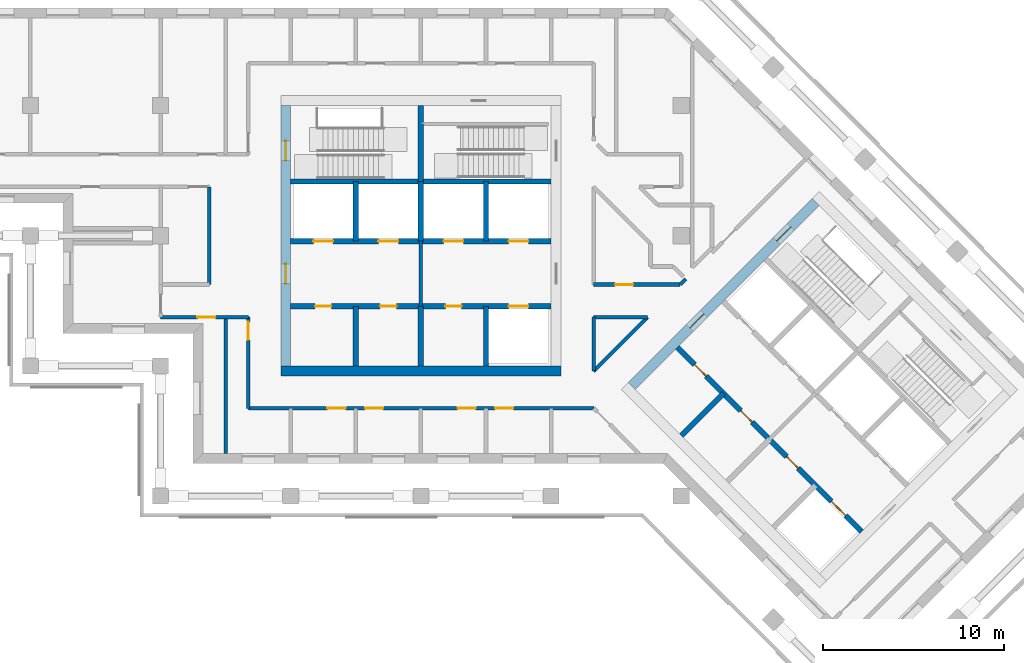
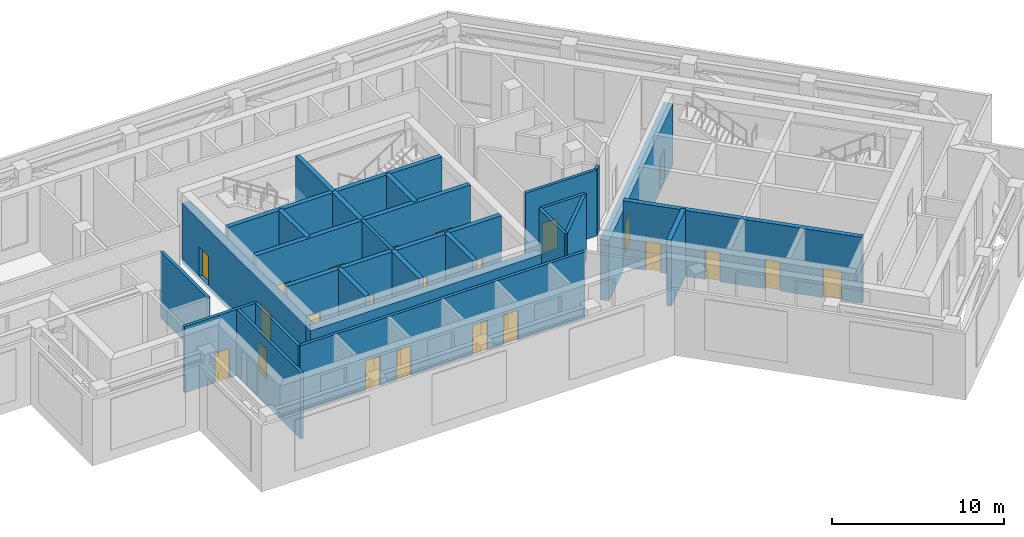
# One storey, part 4 of 10: 27 walls, 23 doors, 23 openings.
"""IFC4 building model written with IfcOpenShell, lengths in metres."""

from ifc_helpers import new_model, si_unit, direction, frame, frame_2d, origin, place, context, subcontext, project, spatial, rectangle, extrude, material, layer, layer_set, type_object, element, fill, save


model = new_model("IFC4")

# Units and contexts
model_context = context("Model", 3, precision=1e-05, world=origin(), true_north=direction((0.0, 1.0)))
body_context = subcontext(model_context, "Body", "Model", "MODEL_VIEW")
ifc_project = project(units=[si_unit("LENGTHUNIT", "METRE"), si_unit("AREAUNIT", "SQUARE_METRE"), si_unit("VOLUMEUNIT", "CUBIC_METRE"), si_unit("PLANEANGLEUNIT", "RADIAN"), si_unit("MASSUNIT", "GRAM", prefix="KILO")], contexts=[model_context])

# Site, building, storey
site_placement = place(None, origin())
site = spatial("IfcSite", under=ifc_project, at=site_placement, CompositionType="ELEMENT")
building_placement = place(site_placement, origin())
building = spatial("IfcBuilding", under=site, at=building_placement, Name="Windrow Commons", CompositionType="ELEMENT")
storey_placement = place(building_placement, frame((0.0, 0.0, 180.4)))
storey = spatial("IfcBuildingStorey", under=building, at=storey_placement, Name="L49", CompositionType="ELEMENT", Elevation=180.4)

# Wall
ifc_material_1 = material(Name="Blockwork partition", Category="masonry")
ifc_layer_1 = layer(ifc_material_1, 0.2)
ifc_layer_set_1 = layer_set([ifc_layer_1], Name="Fire lobby partition 200")
wall_type_1 = type_object("IfcWallType", Name="Fire lobby partition 200", PredefinedType="PARTITIONING", material=ifc_layer_set_1)
wall_1_placement = place(storey_placement, frame((64.8, 53.7, 0.0), z_axis=(0.0, 0.0, 1.0), x_axis=(0.0, 1.0, 0.0)))
element("IfcWall", 1, at=wall_1_placement, inside=storey, type_object=wall_type_1, Name="W-core-lobby-A-L49", PredefinedType="PARTITIONING", context=body_context, shape_type="SweptSolid", body=[
    extrude(rectangle(XDim=3.6, YDim=0.2, at=frame_2d((1.8, 0.0))), origin(), (0.0, 0.0, 1.0), 4.7),
])

# Wall, openings, doors
ifc_material_2 = material(Name="Blockwork partition", Category="masonry")
ifc_layer_2 = layer(ifc_material_2, 0.2)
ifc_layer_set_2 = layer_set([ifc_layer_2], Name="IW-CORRIDOR-200")
wall_type_2 = type_object("IfcWallType", Name="IW-CORRIDOR-200", PredefinedType="PARTITIONING", material=ifc_layer_set_2)
wall_2_placement = place(storey_placement, frame((55.25, 48.05, 0.0), z_axis=(0.0, 0.0, 1.0), x_axis=(1.0, 0.0, 0.0)))
wall_2 = element("IfcWall", 2, at=wall_2_placement, inside=storey, type_object=wall_type_2, Name="W-L49-W000", PredefinedType="PARTITIONING", context=body_context, shape_type="SweptSolid", body=[
    extrude(rectangle(XDim=19.12, YDim=0.2, at=frame_2d((9.56, 0.0))), origin(), (0.0, 0.0, 1.0), 4.7),
])
opening_1_placement = place(wall_2_placement, frame((4.3825, 0.0, 0.0)))
opening_1 = element("IfcOpeningElement", 3, at=opening_1_placement, cuts=wall_2, Name="Opening D410F", PredefinedType="OPENING", context=body_context, shape_type="SweptSolid", body=[
    extrude(rectangle(XDim=1.0, YDim=2.1, at=frame_2d((0.5, 1.05))), frame((0.0, 0.11, 0.0), z_axis=(0.0, -1.0, 0.0), x_axis=(1.0, 0.0, 0.0)), (0.0, 0.0, 1.0), 0.22),
])
opening_2_placement = place(wall_2_placement, frame((6.4575, 0.0, 0.0)))
opening_2 = element("IfcOpeningElement", 4, at=opening_2_placement, cuts=wall_2, Name="Opening D410F", PredefinedType="OPENING", context=body_context, shape_type="SweptSolid", body=[
    extrude(rectangle(XDim=1.0, YDim=2.1, at=frame_2d((0.5, 1.05))), frame((0.0, 0.11, 0.0), z_axis=(0.0, -1.0, 0.0), x_axis=(1.0, 0.0, 0.0)), (0.0, 0.0, 1.0), 0.22),
])
opening_3_placement = place(wall_2_placement, frame((11.5825, 0.0, 0.0)))
opening_3 = element("IfcOpeningElement", 5, at=opening_3_placement, cuts=wall_2, Name="Opening D410F", PredefinedType="OPENING", context=body_context, shape_type="SweptSolid", body=[
    extrude(rectangle(XDim=1.0, YDim=2.1, at=frame_2d((0.5, 1.05))), frame((0.0, 0.11, 0.0), z_axis=(0.0, -1.0, 0.0), x_axis=(1.0, 0.0, 0.0)), (0.0, 0.0, 1.0), 0.22),
])
opening_4_placement = place(wall_2_placement, frame((13.6575, 0.0, 0.0)))
opening_4 = element("IfcOpeningElement", 6, at=opening_4_placement, cuts=wall_2, Name="Opening D410F", PredefinedType="OPENING", context=body_context, shape_type="SweptSolid", body=[
    extrude(rectangle(XDim=1.0, YDim=2.1, at=frame_2d((0.5, 1.05))), frame((0.0, 0.11, 0.0), z_axis=(0.0, -1.0, 0.0), x_axis=(1.0, 0.0, 0.0)), (0.0, 0.0, 1.0), 0.22),
])
ifc_material_3 = material(Name="Timber door leaf", Category="wood")
door_type_1 = type_object("IfcDoorType", Name="DT-SERVICE-1000", OperationType="SINGLE_SWING_LEFT", PredefinedType="DOOR", material=ifc_material_3)
door_1_placement = place(opening_1_placement, origin())
door_1 = element("IfcDoor", 7, at=door_1_placement, inside=storey, type_object=door_type_1, Name="D-L49-D006", OperationType="SINGLE_SWING_LEFT", OverallHeight=2.1, OverallWidth=1.0, PredefinedType="DOOR", context=body_context, shape_type="SweptSolid", body=[
    extrude(rectangle(XDim=1.0, YDim=2.1, at=frame_2d((0.5, 1.05))), frame((0.0, 0.025, 0.0), z_axis=(0.0, -1.0, 0.0), x_axis=(1.0, 0.0, 0.0)), (0.0, 0.0, 1.0), 0.05),
])
fill(opening_1, door_1)
door_2_placement = place(opening_2_placement, origin())
door_2 = element("IfcDoor", 8, at=door_2_placement, inside=storey, type_object=door_type_1, Name="D-L49-D007", OperationType="SINGLE_SWING_RIGHT", OverallHeight=2.1, OverallWidth=1.0, PredefinedType="DOOR", context=body_context, shape_type="SweptSolid", body=[
    extrude(rectangle(XDim=1.0, YDim=2.1, at=frame_2d((0.5, 1.05))), frame((0.0, 0.025, 0.0), z_axis=(0.0, -1.0, 0.0), x_axis=(1.0, 0.0, 0.0)), (0.0, 0.0, 1.0), 0.05),
])
fill(opening_2, door_2)
door_3_placement = place(opening_3_placement, origin())
door_3 = element("IfcDoor", 9, at=door_3_placement, inside=storey, type_object=door_type_1, Name="D-L49-D008", OperationType="SINGLE_SWING_LEFT", OverallHeight=2.1, OverallWidth=1.0, PredefinedType="DOOR", context=body_context, shape_type="SweptSolid", body=[
    extrude(rectangle(XDim=1.0, YDim=2.1, at=frame_2d((0.5, 1.05))), frame((0.0, 0.025, 0.0), z_axis=(0.0, -1.0, 0.0), x_axis=(1.0, 0.0, 0.0)), (0.0, 0.0, 1.0), 0.05),
])
fill(opening_3, door_3)
door_4_placement = place(opening_4_placement, origin())
door_4 = element("IfcDoor", 10, at=door_4_placement, inside=storey, type_object=door_type_1, Name="D-L49-D009", OperationType="SINGLE_SWING_RIGHT", OverallHeight=2.1, OverallWidth=1.0, PredefinedType="DOOR", context=body_context, shape_type="SweptSolid", body=[
    extrude(rectangle(XDim=1.0, YDim=2.1, at=frame_2d((0.5, 1.05))), frame((0.0, 0.025, 0.0), z_axis=(0.0, -1.0, 0.0), x_axis=(1.0, 0.0, 0.0)), (0.0, 0.0, 1.0), 0.05),
])
fill(opening_4, door_4)

# Wall
wall_3_placement = place(storey_placement, frame((53.1, 54.9, 0.0), z_axis=(0.0, 0.0, 1.0), x_axis=(0.0, 1.0, 0.0)))
element("IfcWall", 11, at=wall_3_placement, inside=storey, type_object=wall_type_2, Name="W-L49-W013", PredefinedType="PARTITIONING", context=body_context, shape_type="SweptSolid", body=[
    extrude(rectangle(XDim=5.4, YDim=0.2, at=frame_2d((2.7, 0.0))), origin(), (0.0, 0.0, 1.0), 4.7),
])

# Wall, opening, door
wall_4_placement = place(storey_placement, frame((55.25, 48.05, 0.0), z_axis=(0.0, 0.0, 1.0), x_axis=(0.0, 1.0, 0.0)))
wall_4 = element("IfcWall", 12, at=wall_4_placement, inside=storey, type_object=wall_type_2, Name="W-L49-W014", PredefinedType="PARTITIONING", context=body_context, shape_type="SweptSolid", body=[
    extrude(rectangle(XDim=5.05, YDim=0.2, at=frame_2d((2.525, 0.0))), origin(), (0.0, 0.0, 1.0), 4.7),
])
opening_5_placement = place(wall_4_placement, frame((3.7888, 0.0, 0.0)))
opening_5 = element("IfcOpeningElement", 13, at=opening_5_placement, cuts=wall_4, Name="Opening D410F", PredefinedType="OPENING", context=body_context, shape_type="SweptSolid", body=[
    extrude(rectangle(XDim=1.0, YDim=2.1, at=frame_2d((0.5, 1.05))), frame((0.0, 0.11, 0.0), z_axis=(0.0, -1.0, 0.0), x_axis=(1.0, 0.0, 0.0)), (0.0, 0.0, 1.0), 0.22),
])
door_5_placement = place(opening_5_placement, origin())
door_5 = element("IfcDoor", 14, at=door_5_placement, inside=storey, type_object=door_type_1, Name="D-L49-D005", OperationType="SINGLE_SWING_RIGHT", OverallHeight=2.1, OverallWidth=1.0, PredefinedType="DOOR", context=body_context, shape_type="SweptSolid", body=[
    extrude(rectangle(XDim=1.0, YDim=2.1, at=frame_2d((0.5, 1.05))), frame((0.0, 0.025, 0.0), z_axis=(0.0, -1.0, 0.0), x_axis=(1.0, 0.0, 0.0)), (0.0, 0.0, 1.0), 0.05),
])
fill(opening_5, door_5)

wall_5_placement = place(storey_placement, frame((50.4, 53.1, 0.0), z_axis=(0.0, 0.0, 1.0), x_axis=(1.0, 0.0, 0.0)))
wall_5 = element("IfcWall", 15, at=wall_5_placement, inside=storey, type_object=wall_type_2, Name="W-L49-W016", PredefinedType="PARTITIONING", context=body_context, shape_type="SweptSolid", body=[
    extrude(rectangle(XDim=4.85, YDim=0.2, at=frame_2d((2.425, 0.0))), origin(), (0.0, 0.0, 1.0), 4.7),
])
opening_6_placement = place(wall_5_placement, frame((2.0325, 0.0, 0.0)))
opening_6 = element("IfcOpeningElement", 16, at=opening_6_placement, cuts=wall_5, Name="Opening D410F", PredefinedType="OPENING", context=body_context, shape_type="SweptSolid", body=[
    extrude(rectangle(XDim=1.0, YDim=2.1, at=frame_2d((0.5, 1.05))), frame((0.0, 0.11, 0.0), z_axis=(0.0, -1.0, 0.0), x_axis=(1.0, 0.0, 0.0)), (0.0, 0.0, 1.0), 0.22),
])
door_6_placement = place(opening_6_placement, origin())
door_6 = element("IfcDoor", 17, at=door_6_placement, inside=storey, type_object=door_type_1, Name="D-L49-D004", OperationType="SINGLE_SWING_LEFT", OverallHeight=2.1, OverallWidth=1.0, PredefinedType="DOOR", context=body_context, shape_type="SweptSolid", body=[
    extrude(rectangle(XDim=1.0, YDim=2.1, at=frame_2d((0.5, 1.05))), frame((0.0, 0.025, 0.0), z_axis=(0.0, -1.0, 0.0), x_axis=(1.0, 0.0, 0.0)), (0.0, 0.0, 1.0), 0.05),
])
fill(opening_6, door_6)

wall_6_placement = place(storey_placement, frame((74.352, 54.9, 0.0), z_axis=(0.0, 0.0, 1.0), x_axis=(1.0, 0.0, 0.0)))
wall_6 = element("IfcWall", 18, at=wall_6_placement, inside=storey, type_object=wall_type_2, Name="W-L49-W017", PredefinedType="PARTITIONING", context=body_context, shape_type="SweptSolid", body=[
    extrude(rectangle(XDim=4.788, YDim=0.2, at=frame_2d((2.394, 0.0))), origin(), (0.0, 0.0, 1.0), 4.7),
])
opening_7_placement = place(wall_6_placement, frame((1.1905, 0.0, 0.0)))
opening_7 = element("IfcOpeningElement", 19, at=opening_7_placement, cuts=wall_6, Name="Opening D410F", PredefinedType="OPENING", context=body_context, shape_type="SweptSolid", body=[
    extrude(rectangle(XDim=1.0, YDim=2.1, at=frame_2d((0.5, 1.05))), frame((0.0, 0.11, 0.0), z_axis=(0.0, -1.0, 0.0), x_axis=(1.0, 0.0, 0.0)), (0.0, 0.0, 1.0), 0.22),
])
door_7_placement = place(opening_7_placement, origin())
door_7 = element("IfcDoor", 20, at=door_7_placement, inside=storey, type_object=door_type_1, Name="D-L49-D003", OperationType="SINGLE_SWING_LEFT", OverallHeight=2.1, OverallWidth=1.0, PredefinedType="DOOR", context=body_context, shape_type="SweptSolid", body=[
    extrude(rectangle(XDim=1.0, YDim=2.1, at=frame_2d((0.5, 1.05))), frame((0.0, 0.025, 0.0), z_axis=(0.0, -1.0, 0.0), x_axis=(1.0, 0.0, 0.0)), (0.0, 0.0, 1.0), 0.05),
])
fill(opening_7, door_7)

# Walls
wall_7_placement = place(storey_placement, frame((74.3508, 50.1112, 0.0), z_axis=(0.0, 0.0, 1.0), x_axis=(0.7071067812, 0.7071067812, 0.0)))
element("IfcWall", 21, at=wall_7_placement, inside=storey, type_object=wall_type_2, Name="W-L49-W025", PredefinedType="PARTITIONING", context=body_context, shape_type="SweptSolid", body=[
    extrude(rectangle(XDim=4.2257, YDim=0.2, at=frame_2d((2.1128, 0.0))), origin(), (0.0, 0.0, 1.0), 4.7),
])
wall_8_placement = place(storey_placement, frame((74.35, 50.112, 0.0), z_axis=(0.0, 0.0, 1.0), x_axis=(0.0, 1.0, 0.0)))
element("IfcWall", 22, at=wall_8_placement, inside=storey, type_object=wall_type_2, Name="W-L49-W029", PredefinedType="PARTITIONING", context=body_context, shape_type="SweptSolid", body=[
    extrude(rectangle(XDim=2.988, YDim=0.2, at=frame_2d((1.494, 0.0))), origin(), (0.0, 0.0, 1.0), 4.7),
])
wall_9_placement = place(storey_placement, frame((74.352, 53.1, 0.0), z_axis=(0.0, 0.0, 1.0), x_axis=(1.0, 0.0, 0.0)))
element("IfcWall", 23, at=wall_9_placement, inside=storey, type_object=wall_type_2, Name="W-L49-W030", PredefinedType="PARTITIONING", context=body_context, shape_type="SweptSolid", body=[
    extrude(rectangle(XDim=2.986, YDim=0.2, at=frame_2d((1.493, 0.0))), origin(), (0.0, 0.0, 1.0), 4.7),
])
wall_10_placement = place(storey_placement, frame((79.1408, 54.9012, 0.0), z_axis=(0.0, 0.0, 1.0), x_axis=(0.7071067812, 0.7071067812, 0.0)))
element("IfcWall", 24, at=wall_10_placement, inside=storey, type_object=wall_type_2, Name="W-L49-W063", PredefinedType="PARTITIONING", context=body_context, shape_type="SweptSolid", body=[
    extrude(rectangle(XDim=0.4327, YDim=0.2, at=frame_2d((0.2163, 0.0))), origin(), (0.0, 0.0, 1.0), 4.7),
])
ifc_material_4 = material(Name="Blockwork partition", Category="masonry")
ifc_layer_3 = layer(ifc_material_4, 0.2)
ifc_layer_set_3 = layer_set([ifc_layer_3], Name="IW-PARTY-200")
wall_type_3 = type_object("IfcWallType", Name="IW-PARTY-200", PredefinedType="PARTITIONING", material=ifc_layer_set_3)
wall_11_placement = place(storey_placement, frame((54.0, 45.55, 0.0), z_axis=(0.0, 0.0, 1.0), x_axis=(0.0, 1.0, 0.0)))
element("IfcWall", 25, at=wall_11_placement, inside=storey, type_object=wall_type_3, Name="W-L49-W006", PredefinedType="PARTITIONING", context=body_context, shape_type="SweptSolid", body=[
    extrude(rectangle(XDim=7.55, YDim=0.2, at=frame_2d((3.775, 0.0))), origin(), (0.0, 0.0, 1.0), 4.7),
])
ifc_material_5 = material(Name="Concrete C50/60", Category="concrete")
ifc_layer_4 = layer(ifc_material_5, 0.55)
ifc_layer_set_4 = layer_set([ifc_layer_4], Name="RC CORE WALL 550 C50/60")
wall_type_4 = type_object("IfcWallType", Name="RC CORE WALL 550 C50/60", PredefinedType="SHEAR", material=ifc_layer_set_4)
wall_12_placement = place(storey_placement, frame((57.05, 50.125, -0.3), z_axis=(0.0, 0.0, 1.0), x_axis=(1.0, 0.0, 0.0)))
element("IfcWall", 26, at=wall_12_placement, inside=storey, type_object=wall_type_4, Name="Core A wall outer-S", PredefinedType="SHEAR", context=body_context, shape_type="SweptSolid", body=[
    extrude(rectangle(XDim=15.5, YDim=0.55, at=frame_2d((7.75, 0.0))), origin(), (0.0, 0.0, 1.0), 4.3),
])

# Wall, openings, doors
wall_13_placement = place(storey_placement, frame((57.325, 50.4, -0.3), z_axis=(0.0, 0.0, 1.0), x_axis=(0.0, 1.0, 0.0)))
wall_13 = element("IfcWall", 27, at=wall_13_placement, inside=storey, type_object=wall_type_4, Name="Core A wall outer-W", PredefinedType="SHEAR", context=body_context, shape_type="SweptSolid", body=[
    extrude(rectangle(XDim=14.4, YDim=0.55, at=frame_2d((7.2, 0.0))), origin(), (0.0, 0.0, 1.0), 4.3),
])
opening_8_placement = place(wall_13_placement, frame((4.55, 0.0, 0.3)))
opening_8 = element("IfcOpeningElement", 28, at=opening_8_placement, cuts=wall_13, Name="Opening D6", PredefinedType="OPENING", context=body_context, shape_type="SweptSolid", body=[
    extrude(rectangle(XDim=1.1, YDim=2.1, at=frame_2d((0.55, 1.05))), frame((0.0, 0.285, 0.0), z_axis=(0.0, -1.0, 0.0), x_axis=(1.0, 0.0, 0.0)), (0.0, 0.0, 1.0), 0.57),
])
opening_9_placement = place(wall_13_placement, frame((11.35, 0.0, 0.3)))
opening_9 = element("IfcOpeningElement", 29, at=opening_9_placement, cuts=wall_13, Name="Opening D7", PredefinedType="OPENING", context=body_context, shape_type="SweptSolid", body=[
    extrude(rectangle(XDim=1.1, YDim=2.1, at=frame_2d((0.55, 1.05))), frame((0.0, 0.285, 0.0), z_axis=(0.0, -1.0, 0.0), x_axis=(1.0, 0.0, 0.0)), (0.0, 0.0, 1.0), 0.57),
])
ifc_material_6 = material(Name="Steel fire door leaf", Category="steel")
door_type_2 = type_object("IfcDoorType", Name="Core lobby door 1100", OperationType="SINGLE_SWING_LEFT", PredefinedType="DOOR", material=ifc_material_6)
door_8_placement = place(opening_8_placement, origin())
door_8 = element("IfcDoor", 30, at=door_8_placement, inside=storey, type_object=door_type_2, Name="Lift lobby door", OperationType="DOUBLE_DOOR_SINGLE_SWING", OverallHeight=2.1, OverallWidth=1.1, PredefinedType="DOOR", context=body_context, shape_type="SweptSolid", body=[
    extrude(rectangle(XDim=1.1, YDim=2.1, at=frame_2d((0.55, 1.05))), frame((0.0, 0.025, 0.0), z_axis=(0.0, -1.0, 0.0), x_axis=(1.0, 0.0, 0.0)), (0.0, 0.0, 1.0), 0.05),
])
fill(opening_8, door_8)
ifc_material_7 = material(Name="Steel fire door leaf", Category="steel")
door_type_3 = type_object("IfcDoorType", Name="Stair door 1100", OperationType="SINGLE_SWING_LEFT", PredefinedType="DOOR", material=ifc_material_7)
door_9_placement = place(opening_9_placement, origin())
door_9 = element("IfcDoor", 31, at=door_9_placement, inside=storey, type_object=door_type_3, Name="Stair door", OperationType="SINGLE_SWING_LEFT", OverallHeight=2.1, OverallWidth=1.1, PredefinedType="DOOR", context=body_context, shape_type="SweptSolid", body=[
    extrude(rectangle(XDim=1.1, YDim=2.1, at=frame_2d((0.55, 1.05))), frame((0.0, 0.025, 0.0), z_axis=(0.0, -1.0, 0.0), x_axis=(1.0, 0.0, 0.0)), (0.0, 0.0, 1.0), 0.05),
])
fill(opening_9, door_9)

wall_14_placement = place(storey_placement, frame((76.46, 49.2842, -0.3), z_axis=(0.0, 0.0, 1.0), x_axis=(0.7071067812, 0.7071067812, 0.0)))
wall_14 = element("IfcWall", 32, at=wall_14_placement, inside=storey, type_object=wall_type_4, Name="Core B wall outer-W", PredefinedType="SHEAR", context=body_context, shape_type="SweptSolid", body=[
    extrude(rectangle(XDim=14.3999, YDim=0.55, at=frame_2d((7.2, 0.0))), origin(), (0.0, 0.0, 1.0), 4.3),
])
opening_10_placement = place(wall_14_placement, frame((4.55, 0.0, 0.3)))
opening_10 = element("IfcOpeningElement", 33, at=opening_10_placement, cuts=wall_14, Name="Opening D6", PredefinedType="OPENING", context=body_context, shape_type="SweptSolid", body=[
    extrude(rectangle(XDim=1.1, YDim=2.1, at=frame_2d((0.55, 1.05))), frame((0.0, 0.285, 0.0), z_axis=(0.0, -1.0, 0.0), x_axis=(1.0, 0.0, 0.0)), (0.0, 0.0, 1.0), 0.57),
])
opening_11_placement = place(wall_14_placement, frame((11.35, 0.0, 0.3)))
opening_11 = element("IfcOpeningElement", 34, at=opening_11_placement, cuts=wall_14, Name="Opening D7", PredefinedType="OPENING", context=body_context, shape_type="SweptSolid", body=[
    extrude(rectangle(XDim=1.1, YDim=2.1, at=frame_2d((0.55, 1.05))), frame((0.0, 0.285, 0.0), z_axis=(0.0, -1.0, 0.0), x_axis=(1.0, 0.0, 0.0)), (0.0, 0.0, 1.0), 0.57),
])
door_10_placement = place(opening_10_placement, origin())
door_10 = element("IfcDoor", 35, at=door_10_placement, inside=storey, type_object=door_type_2, Name="Lift lobby door", OperationType="DOUBLE_DOOR_SINGLE_SWING", OverallHeight=2.1, OverallWidth=1.1, PredefinedType="DOOR", context=body_context, shape_type="SweptSolid", body=[
    extrude(rectangle(XDim=1.1, YDim=2.1, at=frame_2d((0.55, 1.05))), frame((0.0, 0.025, 0.0), z_axis=(0.0, -1.0, 0.0), x_axis=(1.0, 0.0, 0.0)), (0.0, 0.0, 1.0), 0.05),
])
fill(opening_10, door_10)
door_11_placement = place(opening_11_placement, origin())
door_11 = element("IfcDoor", 36, at=door_11_placement, inside=storey, type_object=door_type_3, Name="Stair door", OperationType="SINGLE_SWING_LEFT", OverallHeight=2.1, OverallWidth=1.1, PredefinedType="DOOR", context=body_context, shape_type="SweptSolid", body=[
    extrude(rectangle(XDim=1.1, YDim=2.1, at=frame_2d((0.55, 1.05))), frame((0.0, 0.025, 0.0), z_axis=(0.0, -1.0, 0.0), x_axis=(1.0, 0.0, 0.0)), (0.0, 0.0, 1.0), 0.05),
])
fill(opening_11, door_11)

# Walls
ifc_material_8 = material(Name="Concrete C50/60", Category="concrete")
ifc_layer_5 = layer(ifc_material_8, 0.3)
ifc_layer_set_5 = layer_set([ifc_layer_5], Name="RC SHAFT WALL 300 C50/60")
wall_type_5 = type_object("IfcWallType", Name="RC SHAFT WALL 300 C50/60", PredefinedType="SOLIDWALL", material=ifc_layer_set_5)
for number, where, z_axis, x_axis, name in (
    (37, (61.2, 50.4, 0.0), (0.0, 0.0, 1.0), (0.0, 1.0, 0.0), "Core A wall shaft-S1"),
    (38, (61.2, 57.3, 0.0), (0.0, 0.0, 1.0), (0.0, 1.0, 0.0), "Core A wall shaft-N1"),
    (39, (64.8, 50.4, 0.0), (0.0, 0.0, 1.0), (0.0, 1.0, 0.0), "Core A wall shaft-S2"),
    (40, (64.8, 57.3, 0.0), (0.0, 0.0, 1.0), (0.0, 1.0, 0.0), "Core A wall shaft-N2"),
    (41, (68.4, 50.4, 0.0), (0.0, 0.0, 1.0), (0.0, 1.0, 0.0), "Core A wall shaft-S3"),
    (42, (68.4, 57.3, 0.0), (0.0, 0.0, 1.0), (0.0, 1.0, 0.0), "Core A wall shaft-N3"),
):
    element("IfcWall", number, at=place(storey_placement, frame(where, z_axis=z_axis, x_axis=x_axis)), inside=storey, type_object=wall_type_5, Name=name, PredefinedType="SOLIDWALL", context=body_context, shape_type="SweptSolid", body=[
        extrude(rectangle(XDim=3.3, YDim=0.3, at=frame_2d((1.65, 0.0))), origin(), (0.0, 0.0, 1.0), 4.7),
    ])

# Wall, openings, doors
wall_15_placement = place(storey_placement, frame((57.6, 53.7, 0.0), z_axis=(0.0, 0.0, 1.0), x_axis=(1.0, 0.0, 0.0)))
wall_15 = element("IfcWall", 43, at=wall_15_placement, inside=storey, type_object=wall_type_5, Name="Core A wall lobby-S", PredefinedType="SOLIDWALL", context=body_context, shape_type="SweptSolid", body=[
    extrude(rectangle(XDim=14.4, YDim=0.3, at=frame_2d((7.2, 0.0))), origin(), (0.0, 0.0, 1.0), 4.7),
])
opening_12_placement = place(wall_15_placement, frame((1.35, 0.0, 0.0)))
opening_12 = element("IfcOpeningElement", 44, at=opening_12_placement, cuts=wall_15, Name="Opening D8", PredefinedType="OPENING", context=body_context, shape_type="SweptSolid", body=[
    extrude(rectangle(XDim=0.9, YDim=2.1, at=frame_2d((0.45, 1.05))), frame((0.0, 0.16, 0.0), z_axis=(0.0, -1.0, 0.0), x_axis=(1.0, 0.0, 0.0)), (0.0, 0.0, 1.0), 0.32),
])
opening_13_placement = place(wall_15_placement, frame((4.95, 0.0, 0.0)))
opening_13 = element("IfcOpeningElement", 45, at=opening_13_placement, cuts=wall_15, Name="Opening D8", PredefinedType="OPENING", context=body_context, shape_type="SweptSolid", body=[
    extrude(rectangle(XDim=0.9, YDim=2.1, at=frame_2d((0.45, 1.05))), frame((0.0, 0.16, 0.0), z_axis=(0.0, -1.0, 0.0), x_axis=(1.0, 0.0, 0.0)), (0.0, 0.0, 1.0), 0.32),
])
opening_14_placement = place(wall_15_placement, frame((8.55, 0.0, 0.0)))
opening_14 = element("IfcOpeningElement", 46, at=opening_14_placement, cuts=wall_15, Name="Opening D8", PredefinedType="OPENING", context=body_context, shape_type="SweptSolid", body=[
    extrude(rectangle(XDim=0.9, YDim=2.1, at=frame_2d((0.45, 1.05))), frame((0.0, 0.16, 0.0), z_axis=(0.0, -1.0, 0.0), x_axis=(1.0, 0.0, 0.0)), (0.0, 0.0, 1.0), 0.32),
])
opening_15_placement = place(wall_15_placement, frame((12.05, 0.0, 0.0)))
opening_15 = element("IfcOpeningElement", 47, at=opening_15_placement, cuts=wall_15, Name="Opening LD", PredefinedType="OPENING", context=body_context, shape_type="SweptSolid", body=[
    extrude(rectangle(XDim=1.1, YDim=2.1, at=frame_2d((0.55, 1.05))), frame((0.0, 0.16, 0.0), z_axis=(0.0, -1.0, 0.0), x_axis=(1.0, 0.0, 0.0)), (0.0, 0.0, 1.0), 0.32),
])
ifc_material_9 = material(Name="Steel fire door leaf", Category="steel")
door_type_4 = type_object("IfcDoorType", Name="Core store door 900", OperationType="SINGLE_SWING_LEFT", PredefinedType="DOOR", material=ifc_material_9)
door_12_placement = place(opening_12_placement, origin())
door_12 = element("IfcDoor", 48, at=door_12_placement, inside=storey, type_object=door_type_4, Name="Store door", OperationType="SINGLE_SWING_LEFT", OverallHeight=2.1, OverallWidth=0.9, PredefinedType="DOOR", context=body_context, shape_type="SweptSolid", body=[
    extrude(rectangle(XDim=0.9, YDim=2.1, at=frame_2d((0.45, 1.05))), frame((0.0, 0.025, 0.0), z_axis=(0.0, -1.0, 0.0), x_axis=(1.0, 0.0, 0.0)), (0.0, 0.0, 1.0), 0.05),
])
fill(opening_12, door_12)
door_13_placement = place(opening_13_placement, origin())
door_13 = element("IfcDoor", 49, at=door_13_placement, inside=storey, type_object=door_type_4, Name="Store door", OperationType="SINGLE_SWING_LEFT", OverallHeight=2.1, OverallWidth=0.9, PredefinedType="DOOR", context=body_context, shape_type="SweptSolid", body=[
    extrude(rectangle(XDim=0.9, YDim=2.1, at=frame_2d((0.45, 1.05))), frame((0.0, 0.025, 0.0), z_axis=(0.0, -1.0, 0.0), x_axis=(1.0, 0.0, 0.0)), (0.0, 0.0, 1.0), 0.05),
])
fill(opening_13, door_13)
door_14_placement = place(opening_14_placement, origin())
door_14 = element("IfcDoor", 50, at=door_14_placement, inside=storey, type_object=door_type_4, Name="Store door", OperationType="SINGLE_SWING_LEFT", OverallHeight=2.1, OverallWidth=0.9, PredefinedType="DOOR", context=body_context, shape_type="SweptSolid", body=[
    extrude(rectangle(XDim=0.9, YDim=2.1, at=frame_2d((0.45, 1.05))), frame((0.0, 0.025, 0.0), z_axis=(0.0, -1.0, 0.0), x_axis=(1.0, 0.0, 0.0)), (0.0, 0.0, 1.0), 0.05),
])
fill(opening_14, door_14)
ifc_material_10 = material(Name="Stainless steel door leaf", Category="steel")
door_type_5 = type_object("IfcDoorType", Name="Lift landing door 1100", OperationType="SLIDING_TO_LEFT", PredefinedType="DOOR", material=ifc_material_10)
door_15_placement = place(opening_15_placement, origin())
door_15 = element("IfcDoor", 51, at=door_15_placement, inside=storey, type_object=door_type_5, Name="Lift landing door", OperationType="SLIDING_TO_RIGHT", OverallHeight=2.1, OverallWidth=1.1, PredefinedType="DOOR", context=body_context, shape_type="SweptSolid", body=[
    extrude(rectangle(XDim=1.1, YDim=2.1, at=frame_2d((0.55, 1.05))), frame((0.0, 0.025, 0.0), z_axis=(0.0, -1.0, 0.0), x_axis=(1.0, 0.0, 0.0)), (0.0, 0.0, 1.0), 0.05),
])
fill(opening_15, door_15)

wall_16_placement = place(storey_placement, frame((57.6, 57.3, 0.0), z_axis=(0.0, 0.0, 1.0), x_axis=(1.0, 0.0, 0.0)))
wall_16 = element("IfcWall", 52, at=wall_16_placement, inside=storey, type_object=wall_type_5, Name="Core A wall lobby-N", PredefinedType="SOLIDWALL", context=body_context, shape_type="SweptSolid", body=[
    extrude(rectangle(XDim=14.4, YDim=0.3, at=frame_2d((7.2, 0.0))), origin(), (0.0, 0.0, 1.0), 4.7),
])
opening_16_placement = place(wall_16_placement, frame((1.25, 0.0, 0.0)))
opening_16 = element("IfcOpeningElement", 53, at=opening_16_placement, cuts=wall_16, Name="Opening LD", PredefinedType="OPENING", context=body_context, shape_type="SweptSolid", body=[
    extrude(rectangle(XDim=1.1, YDim=2.1, at=frame_2d((0.55, 1.05))), frame((0.0, 0.16, 0.0), z_axis=(0.0, -1.0, 0.0), x_axis=(1.0, 0.0, 0.0)), (0.0, 0.0, 1.0), 0.32),
])
opening_17_placement = place(wall_16_placement, frame((4.85, 0.0, 0.0)))
opening_17 = element("IfcOpeningElement", 54, at=opening_17_placement, cuts=wall_16, Name="Opening LD", PredefinedType="OPENING", context=body_context, shape_type="SweptSolid", body=[
    extrude(rectangle(XDim=1.1, YDim=2.1, at=frame_2d((0.55, 1.05))), frame((0.0, 0.16, 0.0), z_axis=(0.0, -1.0, 0.0), x_axis=(1.0, 0.0, 0.0)), (0.0, 0.0, 1.0), 0.32),
])
opening_18_placement = place(wall_16_placement, frame((8.45, 0.0, 0.0)))
opening_18 = element("IfcOpeningElement", 55, at=opening_18_placement, cuts=wall_16, Name="Opening LD", PredefinedType="OPENING", context=body_context, shape_type="SweptSolid", body=[
    extrude(rectangle(XDim=1.1, YDim=2.1, at=frame_2d((0.55, 1.05))), frame((0.0, 0.16, 0.0), z_axis=(0.0, -1.0, 0.0), x_axis=(1.0, 0.0, 0.0)), (0.0, 0.0, 1.0), 0.32),
])
opening_19_placement = place(wall_16_placement, frame((12.05, 0.0, 0.0)))
opening_19 = element("IfcOpeningElement", 56, at=opening_19_placement, cuts=wall_16, Name="Opening LD", PredefinedType="OPENING", context=body_context, shape_type="SweptSolid", body=[
    extrude(rectangle(XDim=1.1, YDim=2.1, at=frame_2d((0.55, 1.05))), frame((0.0, 0.16, 0.0), z_axis=(0.0, -1.0, 0.0), x_axis=(1.0, 0.0, 0.0)), (0.0, 0.0, 1.0), 0.32),
])
door_16_placement = place(opening_16_placement, origin())
door_16 = element("IfcDoor", 57, at=door_16_placement, inside=storey, type_object=door_type_5, Name="Lift landing door", OperationType="SLIDING_TO_LEFT", OverallHeight=2.1, OverallWidth=1.1, PredefinedType="DOOR", context=body_context, shape_type="SweptSolid", body=[
    extrude(rectangle(XDim=1.1, YDim=2.1, at=frame_2d((0.55, 1.05))), frame((0.0, 0.025, 0.0), z_axis=(0.0, -1.0, 0.0), x_axis=(1.0, 0.0, 0.0)), (0.0, 0.0, 1.0), 0.05),
])
fill(opening_16, door_16)
door_17_placement = place(opening_17_placement, origin())
door_17 = element("IfcDoor", 58, at=door_17_placement, inside=storey, type_object=door_type_5, Name="Lift landing door", OperationType="SLIDING_TO_RIGHT", OverallHeight=2.1, OverallWidth=1.1, PredefinedType="DOOR", context=body_context, shape_type="SweptSolid", body=[
    extrude(rectangle(XDim=1.1, YDim=2.1, at=frame_2d((0.55, 1.05))), frame((0.0, 0.025, 0.0), z_axis=(0.0, -1.0, 0.0), x_axis=(1.0, 0.0, 0.0)), (0.0, 0.0, 1.0), 0.05),
])
fill(opening_17, door_17)
door_18_placement = place(opening_18_placement, origin())
door_18 = element("IfcDoor", 59, at=door_18_placement, inside=storey, type_object=door_type_5, Name="Lift landing door", OperationType="SLIDING_TO_LEFT", OverallHeight=2.1, OverallWidth=1.1, PredefinedType="DOOR", context=body_context, shape_type="SweptSolid", body=[
    extrude(rectangle(XDim=1.1, YDim=2.1, at=frame_2d((0.55, 1.05))), frame((0.0, 0.025, 0.0), z_axis=(0.0, -1.0, 0.0), x_axis=(1.0, 0.0, 0.0)), (0.0, 0.0, 1.0), 0.05),
])
fill(opening_18, door_18)
door_19_placement = place(opening_19_placement, origin())
door_19 = element("IfcDoor", 60, at=door_19_placement, inside=storey, type_object=door_type_5, Name="Lift landing door", OperationType="SLIDING_TO_RIGHT", OverallHeight=2.1, OverallWidth=1.1, PredefinedType="DOOR", context=body_context, shape_type="SweptSolid", body=[
    extrude(rectangle(XDim=1.1, YDim=2.1, at=frame_2d((0.55, 1.05))), frame((0.0, 0.025, 0.0), z_axis=(0.0, -1.0, 0.0), x_axis=(1.0, 0.0, 0.0)), (0.0, 0.0, 1.0), 0.05),
])
fill(opening_19, door_19)

# Walls
for number, where, z_axis, x_axis, name in (
    (61, (57.6, 60.6, 0.0), (0.0, 0.0, 1.0), (1.0, 0.0, 0.0), "Core A wall stair-S"),
    (62, (64.8, 60.6, 0.0), (0.0, 0.0, 1.0), (1.0, 0.0, 0.0), "Core A wall stair-S2"),
):
    element("IfcWall", number, at=place(storey_placement, frame(where, z_axis=z_axis, x_axis=x_axis)), inside=storey, type_object=wall_type_5, Name=name, PredefinedType="SOLIDWALL", context=body_context, shape_type="SweptSolid", body=[
        extrude(rectangle(XDim=7.2, YDim=0.3, at=frame_2d((3.6, 0.0))), origin(), (0.0, 0.0, 1.0), 4.7),
    ])
wall_17_placement = place(storey_placement, frame((64.8, 60.6, 0.0), z_axis=(0.0, 0.0, 1.0), x_axis=(0.0, 1.0, 0.0)))
element("IfcWall", 63, at=wall_17_placement, inside=storey, type_object=wall_type_5, Name="Core A wall stair-mid", PredefinedType="SOLIDWALL", context=body_context, shape_type="SweptSolid", body=[
    extrude(rectangle(XDim=4.2, YDim=0.3, at=frame_2d((2.1, 0.0))), origin(), (0.0, 0.0, 1.0), 4.7),
])
wall_18_placement = place(storey_placement, frame((79.2, 46.5442, 0.0), z_axis=(0.0, 0.0, 1.0), x_axis=(0.7071219326, 0.7070916295, 0.0)))
element("IfcWall", 64, at=wall_18_placement, inside=storey, type_object=wall_type_5, Name="Core B wall shaft-S1", PredefinedType="SOLIDWALL", context=body_context, shape_type="SweptSolid", body=[
    extrude(rectangle(XDim=3.3, YDim=0.3, at=frame_2d((1.65, 0.0))), origin(), (0.0, 0.0, 1.0), 4.7),
])

# Wall, openings, doors
wall_19_placement = place(storey_placement, frame((78.9879, 51.4232, 0.0), z_axis=(0.0, 0.0, 1.0), x_axis=(0.7071067812, -0.7071067812, 0.0)))
wall_19 = element("IfcWall", 65, at=wall_19_placement, inside=storey, type_object=wall_type_5, Name="Core B wall lobby-S", PredefinedType="SOLIDWALL", context=body_context, shape_type="SweptSolid", body=[
    extrude(rectangle(XDim=14.3999, YDim=0.3, at=frame_2d((7.2, 0.0))), origin(), (0.0, 0.0, 1.0), 4.7),
])
opening_20_placement = place(wall_19_placement, frame((1.35, 0.0, 0.0)))
opening_20 = element("IfcOpeningElement", 66, at=opening_20_placement, cuts=wall_19, Name="Opening D8", PredefinedType="OPENING", context=body_context, shape_type="SweptSolid", body=[
    extrude(rectangle(XDim=0.9, YDim=2.1, at=frame_2d((0.45, 1.05))), frame((0.0, 0.16, 0.0), z_axis=(0.0, -1.0, 0.0), x_axis=(1.0, 0.0, 0.0)), (0.0, 0.0, 1.0), 0.32),
])
opening_21_placement = place(wall_19_placement, frame((4.95, 0.0, 0.0)))
opening_21 = element("IfcOpeningElement", 67, at=opening_21_placement, cuts=wall_19, Name="Opening D8", PredefinedType="OPENING", context=body_context, shape_type="SweptSolid", body=[
    extrude(rectangle(XDim=0.9, YDim=2.1, at=frame_2d((0.45, 1.05))), frame((0.0, 0.16, 0.0), z_axis=(0.0, -1.0, 0.0), x_axis=(1.0, 0.0, 0.0)), (0.0, 0.0, 1.0), 0.32),
])
opening_22_placement = place(wall_19_placement, frame((8.55, 0.0, 0.0)))
opening_22 = element("IfcOpeningElement", 68, at=opening_22_placement, cuts=wall_19, Name="Opening D8", PredefinedType="OPENING", context=body_context, shape_type="SweptSolid", body=[
    extrude(rectangle(XDim=0.9, YDim=2.1, at=frame_2d((0.45, 1.05))), frame((0.0, 0.16, 0.0), z_axis=(0.0, -1.0, 0.0), x_axis=(1.0, 0.0, 0.0)), (0.0, 0.0, 1.0), 0.32),
])
opening_23_placement = place(wall_19_placement, frame((12.05, 0.0, 0.0)))
opening_23 = element("IfcOpeningElement", 69, at=opening_23_placement, cuts=wall_19, Name="Opening LD", PredefinedType="OPENING", context=body_context, shape_type="SweptSolid", body=[
    extrude(rectangle(XDim=1.1, YDim=2.1, at=frame_2d((0.55, 1.05))), frame((0.0, 0.16, 0.0), z_axis=(0.0, -1.0, 0.0), x_axis=(1.0, 0.0, 0.0)), (0.0, 0.0, 1.0), 0.32),
])
door_20_placement = place(opening_20_placement, origin())
door_20 = element("IfcDoor", 70, at=door_20_placement, inside=storey, type_object=door_type_4, Name="Store door", OperationType="SINGLE_SWING_LEFT", OverallHeight=2.1, OverallWidth=0.9, PredefinedType="DOOR", context=body_context, shape_type="SweptSolid", body=[
    extrude(rectangle(XDim=0.9, YDim=2.1, at=frame_2d((0.45, 1.05))), frame((0.0, 0.025, 0.0), z_axis=(0.0, -1.0, 0.0), x_axis=(1.0, 0.0, 0.0)), (0.0, 0.0, 1.0), 0.05),
])
fill(opening_20, door_20)
door_21_placement = place(opening_21_placement, origin())
door_21 = element("IfcDoor", 71, at=door_21_placement, inside=storey, type_object=door_type_4, Name="Store door", OperationType="SINGLE_SWING_LEFT", OverallHeight=2.1, OverallWidth=0.9, PredefinedType="DOOR", context=body_context, shape_type="SweptSolid", body=[
    extrude(rectangle(XDim=0.9, YDim=2.1, at=frame_2d((0.45, 1.05))), frame((0.0, 0.025, 0.0), z_axis=(0.0, -1.0, 0.0), x_axis=(1.0, 0.0, 0.0)), (0.0, 0.0, 1.0), 0.05),
])
fill(opening_21, door_21)
door_22_placement = place(opening_22_placement, origin())
door_22 = element("IfcDoor", 72, at=door_22_placement, inside=storey, type_object=door_type_4, Name="Store door", OperationType="SINGLE_SWING_LEFT", OverallHeight=2.1, OverallWidth=0.9, PredefinedType="DOOR", context=body_context, shape_type="SweptSolid", body=[
    extrude(rectangle(XDim=0.9, YDim=2.1, at=frame_2d((0.45, 1.05))), frame((0.0, 0.025, 0.0), z_axis=(0.0, -1.0, 0.0), x_axis=(1.0, 0.0, 0.0)), (0.0, 0.0, 1.0), 0.05),
])
fill(opening_22, door_22)
door_23_placement = place(opening_23_placement, origin())
door_23 = element("IfcDoor", 73, at=door_23_placement, inside=storey, type_object=door_type_5, Name="Lift landing door", OperationType="SLIDING_TO_RIGHT", OverallHeight=2.1, OverallWidth=1.1, PredefinedType="DOOR", context=body_context, shape_type="SweptSolid", body=[
    extrude(rectangle(XDim=1.1, YDim=2.1, at=frame_2d((0.55, 1.05))), frame((0.0, 0.025, 0.0), z_axis=(0.0, -1.0, 0.0), x_axis=(1.0, 0.0, 0.0)), (0.0, 0.0, 1.0), 0.05),
])
fill(opening_23, door_23)

save(model, "model.ifc")
